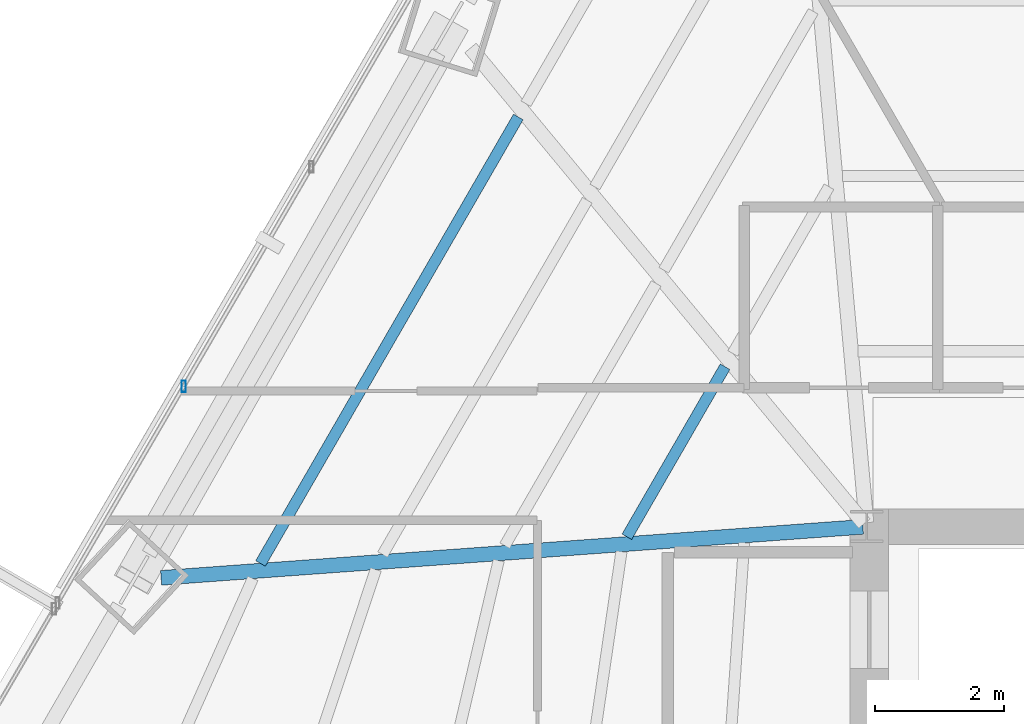
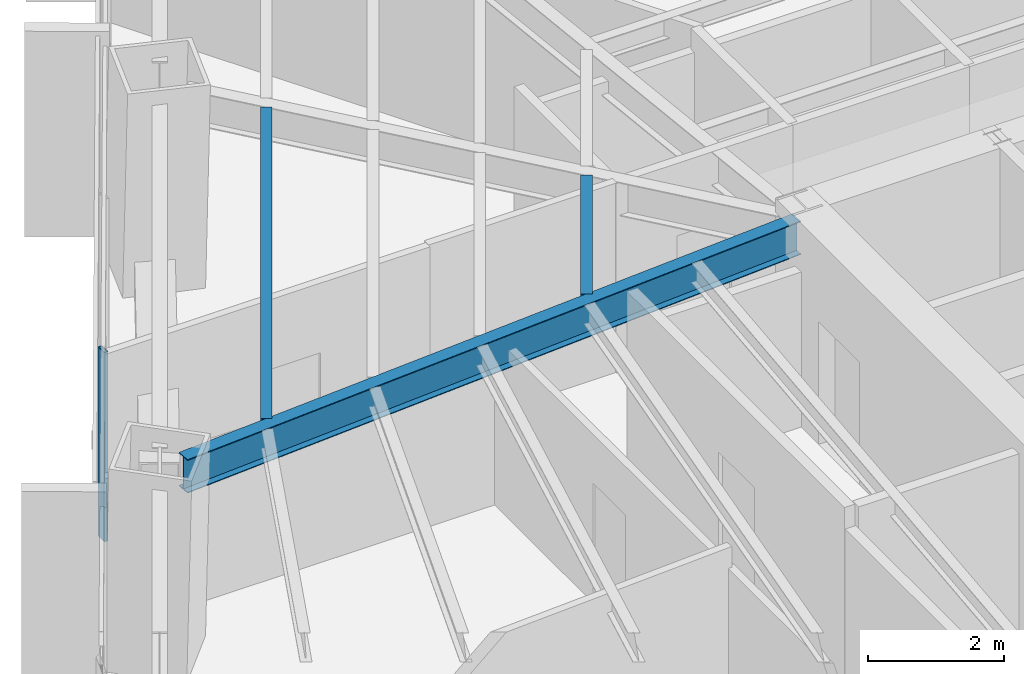
# One storey, part 10 of 33: 3 beams, 1 member, 1 element without a shape of its own.
"""IFC4 building model written with IfcOpenShell, lengths in metres."""

from ifc_helpers import new_model, si_unit, direction, frame, origin, origin_2d, place, context, subcontext, project, spatial, hollow_rectangle, i_section, extrude, source, transform, mapped, material, material_profile, profile_set, type_object, type_shapes, element, aggregate, save


model = new_model("IFC4")

# Units and contexts
model_context = context("Model", 3, precision=1e-05, world=origin(), true_north=direction((0.0, 1.0)))
body_context = subcontext(model_context, "Body", "Model", "MODEL_VIEW")
ifc_project = project(units=[si_unit("LENGTHUNIT", "METRE"), si_unit("AREAUNIT", "SQUARE_METRE"), si_unit("VOLUMEUNIT", "CUBIC_METRE"), si_unit("PLANEANGLEUNIT", "RADIAN"), si_unit("MASSUNIT", "GRAM", prefix="KILO")], contexts=[model_context])

# Site, building, storey
site_placement = place(None, origin())
site = spatial("IfcSite", under=ifc_project, at=site_placement, CompositionType="ELEMENT")
building_placement = place(site_placement, origin())
building = spatial("IfcBuilding", under=site, at=building_placement, Name="Caelisora Broadcast Tower", CompositionType="ELEMENT")
storey_placement = place(building_placement, frame((0.0, 0.0, 38.550048828125)))
storey = spatial("IfcBuildingStorey", under=building, at=storey_placement, Name="L09", CompositionType="ELEMENT", Elevation=38.550048828125)

# Beams
ifc_material_1 = material(Name="Steel Grade 350 (AS/NZS 3679.1)", Category="steel")
ifc_material_profile_1 = material_profile(ifc_material_1, i_section(OverallWidth=0.22802734375, OverallDepth=0.602294921875, WebThickness=0.010498046875, FlangeThickness=0.014892578125, at=origin_2d()), Name="Steel Grade 350 (AS/NZS 3679.1)")
ifc_profile_set_1 = profile_set([ifc_material_profile_1], Name="Steel Grade 350 (AS/NZS 3679.1)")
beam_type_1 = type_object("IfcBeamType", Name="PG04", PredefinedType="BEAM", material=ifc_profile_set_1)
shared_shape_1 = source(origin(), body_context, "Body", "SweptSolid", [
    extrude(i_section(OverallWidth=0.22802734375, OverallDepth=0.602294921875, WebThickness=0.010498046875, FlangeThickness=0.014892578125, at=origin_2d()), origin(), (0.0, 0.0, 1.0), 10.898681640625),
])
type_shapes(beam_type_1, [shared_shape_1])
beam_1_placement = place(storey_placement, frame((30.440185546875, 29.99560546875, 3.098876953125), z_axis=(-0.997365875889, -0.072534885478, 0.0), x_axis=(0.072534885478, -0.997365875889, 0.0)))
element("IfcBeam", 1, at=beam_1_placement, inside=storey, type_object=beam_type_1, Name="L09 beam PG04", PredefinedType="BEAM", context=body_context, shape_type="MappedRepresentation", body=[
    mapped(shared_shape_1, transform((0.0, 0.0, 0.0), scale=1.0)),
])
ifc_material_profile_2 = material_profile(ifc_material_1, i_section(OverallWidth=0.172119140625, OverallDepth=0.358642578125, WebThickness=0.008056640625, FlangeThickness=0.012939453125, at=origin_2d()), Name="Steel Grade 350 (AS/NZS 3679.1)")
ifc_profile_set_2 = profile_set([ifc_material_profile_2], Name="Steel Grade 350 (AS/NZS 3679.1)")
beam_type_2 = type_object("IfcBeamType", Name="SB02", PredefinedType="JOIST", material=ifc_profile_set_2)
shared_shape_2 = source(origin(), body_context, "Body", "SweptSolid", [
    extrude(i_section(OverallWidth=0.172119140625, OverallDepth=0.358642578125, WebThickness=0.008056640625, FlangeThickness=0.012939453125, at=origin_2d()), origin(), (0.0, 0.0, 1.0), 3.0419921875),
])
beam_2_placement = place(storey_placement, frame((28.305419921875, 32.47607421875, 3.220703125), z_axis=(-0.499988758949, -0.866031893711, 0.0), x_axis=(0.866031893711, -0.499988758949, 0.0)))
element("IfcBeam", 2, at=beam_2_placement, inside=storey, type_object=beam_type_2, Name="L09 beam SB02", PredefinedType="JOIST", context=body_context, shape_type="MappedRepresentation", body=[
    mapped(shared_shape_2, transform((0.0, 0.0, 0.0), scale=1.0)),
])
shared_shape_3 = source(origin(), body_context, "Body", "SweptSolid", [
    extrude(i_section(OverallWidth=0.172119140625, OverallDepth=0.358642578125, WebThickness=0.008056640625, FlangeThickness=0.012939453125, at=origin_2d()), origin(), (0.0, 0.0, 1.0), 7.98486328125),
])
type_shapes(beam_type_2, [shared_shape_2, shared_shape_3])
beam_3_placement = place(storey_placement, frame((25.1025390625, 36.343994140625, 3.220703125), z_axis=(-0.500003003489, -0.866023669713, 0.0), x_axis=(0.866023669713, -0.500003003489, 0.0)))
element("IfcBeam", 3, at=beam_3_placement, inside=storey, type_object=beam_type_2, Name="L09 beam SB02", PredefinedType="JOIST", context=body_context, shape_type="MappedRepresentation", body=[
    mapped(shared_shape_3, transform((0.0, 0.0, 0.0), scale=1.0)),
])

# Curtain wall, member
ifc_material_2 = material(Name="Unitised Aluminium Insulated Shadow-Box Spandrel Curtain Wall", Category="aluminium")
curtain_wall_type = type_object("IfcCurtainWallType", Name="CW-SP1", PredefinedType="NOTDEFINED", material=ifc_material_2)
curtain_wall_placement = place(storey_placement, origin())
curtain_wall = element("IfcCurtainWall", 4, at=curtain_wall_placement, inside=storey, type_object=curtain_wall_type, Name="L09 curtain wall CW-SP1", PredefinedType="NOTDEFINED")
ifc_material_3 = material(Name="Aluminium 6063-T6 Anodised Terracotta Bronze", Category="aluminium")
ifc_material_profile_3 = material_profile(ifc_material_3, hollow_rectangle(XDim=0.06494140625, YDim=0.179931640625, WallThickness=0.00341796875, at=origin_2d()), Name="Aluminium 6063-T6 Anodised Terracotta Bronze")
ifc_profile_set_3 = profile_set([ifc_material_profile_3], Name="Aluminium 6063-T6 Anodised Terracotta Bronze")
member_type = type_object("IfcMemberType", Name="CWM-02", PredefinedType="MULLION", material=ifc_profile_set_3)
shared_shape_4 = source(origin(), body_context, "Body", "SweptSolid", [
    extrude(hollow_rectangle(XDim=0.06494140625, YDim=0.179931640625, WallThickness=0.00341796875, at=origin_2d()), origin(), (0.0, 0.0, 1.0), 3.39990234375),
])
type_shapes(member_type, [shared_shape_4])
member_placement = place(storey_placement, frame((19.920654296875, 32.171875, 0.0), z_axis=(0.0, 0.0, 1.0), x_axis=(1.0, 0.0, 0.0)))
member = element("IfcMember", 5, at=member_placement, type_object=member_type, Name="L09-CW-B10 mullion #1", PredefinedType="MULLION", context=body_context, shape_type="MappedRepresentation", body=[
    mapped(shared_shape_4, transform((0.0, 0.0, 0.0), scale=1.0)),
])
aggregate(curtain_wall, [member])

save(model, "model.ifc")
